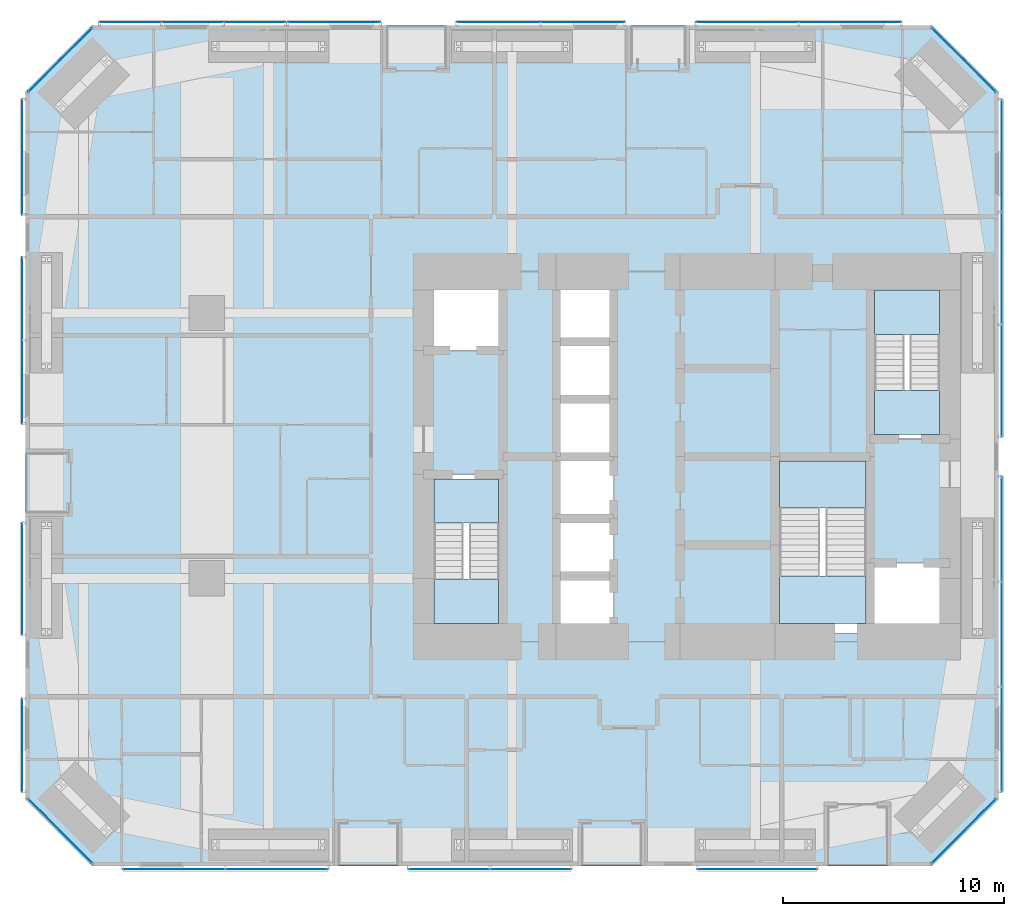
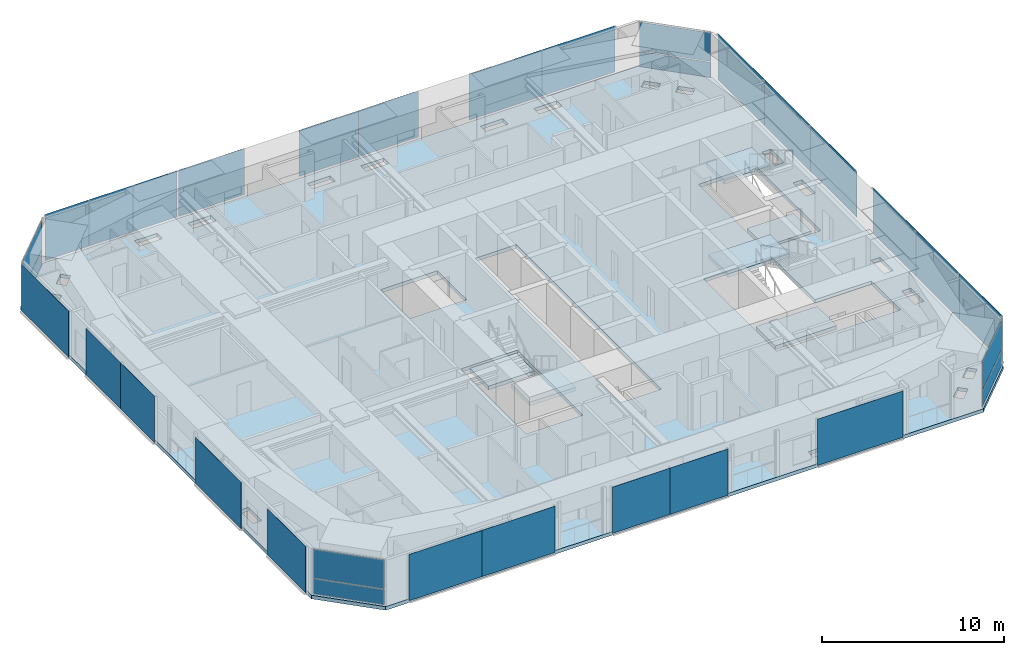
# One storey, part 15 of 23: 32 plates, 7 slabs, 20 elements without a shape of their own.
"""IFC4 building model written with IfcOpenShell, lengths in metres."""

from ifc_helpers import new_model, si_unit, direction, frame, origin, origin_2d, place, context, subcontext, project, spatial, polyline, rectangle, outline, extrude, material, layer, layer_set, type_object, element, aggregate, save


model = new_model("IFC4")

# Units and contexts
model_context = context("Model", 3, precision=1e-05, world=origin(), true_north=direction((0.0, 1.0)))
body_context = subcontext(model_context, "Body", "Model", "MODEL_VIEW")
ifc_project = project(units=[si_unit("LENGTHUNIT", "METRE"), si_unit("AREAUNIT", "SQUARE_METRE"), si_unit("VOLUMEUNIT", "CUBIC_METRE"), si_unit("PLANEANGLEUNIT", "RADIAN"), si_unit("MASSUNIT", "GRAM", prefix="KILO")], contexts=[model_context])

# Site, building, storey
site_placement = place(None, origin())
site = spatial("IfcSite", under=ifc_project, at=site_placement, CompositionType="ELEMENT")
building_placement = place(site_placement, origin())
building = spatial("IfcBuilding", under=site, at=building_placement, Name="Jalousie Tower", CompositionType="ELEMENT")
storey_placement = place(building_placement, frame((0.0, 0.0, 37.75)))
storey = spatial("IfcBuildingStorey", under=building, at=storey_placement, Name="L09", CompositionType="ELEMENT", Elevation=37.75)

# Curtain wall, plates
ifc_material_1 = material(Name="Aluminium curtain wall", Category="aluminium")
curtain_wall_type_1 = type_object("IfcCurtainWallType", Name="CORNER WINDOW WALL", PredefinedType="USERDEFINED", material=ifc_material_1)
curtain_wall_1_placement = place(storey_placement, origin())
curtain_wall_1 = element("IfcCurtainWall", 1, at=curtain_wall_1_placement, inside=storey, type_object=curtain_wall_type_1, Name="Corner Window Wall L09 2", ObjectType="CORNER WINDOW WALL", PredefinedType="USERDEFINED")
ifc_material_2 = material(Name="Laminated impact-rated spandrel glass", Category="glass")
ifc_layer_1 = layer(ifc_material_2, 0.028076171875)
ifc_layer_set_1 = layer_set([ifc_layer_1], Name="Laminated impact-rated spandrel glass")
plate_type_1 = type_object("IfcPlateType", Name="CORNER WINDOW WALL PANEL", PredefinedType="CURTAIN_PANEL", material=ifc_layer_set_1)
plate_1_placement = place(storey_placement, frame((44.4306640625, 1.5693359375, 0.06005859375), z_axis=(0.0, 0.0, 1.0), x_axis=(0.707106781187, 0.707106781187, 0.0)))
plate_1 = element("IfcPlate", 2, at=plate_1_placement, type_object=plate_type_1, Name="CW-C panel 1.1", PredefinedType="CURTAIN_PANEL", context=body_context, shape_type="SweptSolid", body=[
    extrude(rectangle(XDim=4.071533203125, YDim=0.028076171875, at=origin_2d()), origin(), (0.0, 0.0, 1.0), 1.010009765625),
])
plate_2_placement = place(storey_placement, frame((44.4306640625, 1.5693359375, 1.130126953125), z_axis=(0.0, 0.0, 1.0), x_axis=(0.707106781187, 0.707106781187, 0.0)))
plate_2 = element("IfcPlate", 3, at=plate_2_placement, type_object=plate_type_1, Name="CW-C panel 1.2", PredefinedType="CURTAIN_PANEL", context=body_context, shape_type="SweptSolid", body=[
    extrude(rectangle(XDim=4.071533203125, YDim=0.028076171875, at=origin_2d()), origin(), (0.0, 0.0, 1.0), 1.919921875),
])
aggregate(curtain_wall_1, [plate_1, plate_2])

curtain_wall_2_placement = place(storey_placement, origin())
curtain_wall_2 = element("IfcCurtainWall", 4, at=curtain_wall_2_placement, inside=storey, type_object=curtain_wall_type_1, Name="Corner Window Wall L09 4", ObjectType="CORNER WINDOW WALL", PredefinedType="USERDEFINED")
plate_3_placement = place(storey_placement, frame((44.4306640625, 36.4306640625, 0.06005859375), z_axis=(0.0, 0.0, 1.0), x_axis=(-0.707106781187, 0.707106781187, 0.0)))
plate_3 = element("IfcPlate", 5, at=plate_3_placement, type_object=plate_type_1, Name="CW-C panel 1.1", PredefinedType="CURTAIN_PANEL", context=body_context, shape_type="SweptSolid", body=[
    extrude(rectangle(XDim=4.071533203125, YDim=0.028076171875, at=origin_2d()), origin(), (0.0, 0.0, 1.0), 1.010009765625),
])
plate_4_placement = place(storey_placement, frame((44.4306640625, 36.4306640625, 1.130126953125), z_axis=(0.0, 0.0, 1.0), x_axis=(-0.707106781187, 0.707106781187, 0.0)))
plate_4 = element("IfcPlate", 6, at=plate_4_placement, type_object=plate_type_1, Name="CW-C panel 1.2", PredefinedType="CURTAIN_PANEL", context=body_context, shape_type="SweptSolid", body=[
    extrude(rectangle(XDim=4.071533203125, YDim=0.028076171875, at=origin_2d()), origin(), (0.0, 0.0, 1.0), 1.919921875),
])
aggregate(curtain_wall_2, [plate_3, plate_4])

curtain_wall_3_placement = place(storey_placement, origin())
curtain_wall_3 = element("IfcCurtainWall", 7, at=curtain_wall_3_placement, inside=storey, type_object=curtain_wall_type_1, Name="Corner Window Wall L09 6", ObjectType="CORNER WINDOW WALL", PredefinedType="USERDEFINED")
plate_5_placement = place(storey_placement, frame((3.5693359375, 36.4306640625, 0.06005859375), z_axis=(0.0, 0.0, 1.0), x_axis=(-0.707106781187, -0.707106781187, 0.0)))
plate_5 = element("IfcPlate", 8, at=plate_5_placement, type_object=plate_type_1, Name="CW-C panel 1.1", PredefinedType="CURTAIN_PANEL", context=body_context, shape_type="SweptSolid", body=[
    extrude(rectangle(XDim=4.071533203125, YDim=0.028076171875, at=origin_2d()), origin(), (0.0, 0.0, 1.0), 1.010009765625),
])
plate_6_placement = place(storey_placement, frame((3.5693359375, 36.4306640625, 1.130126953125), z_axis=(0.0, 0.0, 1.0), x_axis=(-0.707106781187, -0.707106781187, 0.0)))
plate_6 = element("IfcPlate", 9, at=plate_6_placement, type_object=plate_type_1, Name="CW-C panel 1.2", PredefinedType="CURTAIN_PANEL", context=body_context, shape_type="SweptSolid", body=[
    extrude(rectangle(XDim=4.071533203125, YDim=0.028076171875, at=origin_2d()), origin(), (0.0, 0.0, 1.0), 1.919921875),
])
aggregate(curtain_wall_3, [plate_5, plate_6])

curtain_wall_4_placement = place(storey_placement, origin())
curtain_wall_4 = element("IfcCurtainWall", 10, at=curtain_wall_4_placement, inside=storey, type_object=curtain_wall_type_1, Name="Corner Window Wall L09 8", ObjectType="CORNER WINDOW WALL", PredefinedType="USERDEFINED")
plate_7_placement = place(storey_placement, frame((3.5693359375, 1.5693359375, 0.06005859375), z_axis=(0.0, 0.0, 1.0), x_axis=(0.707106781187, -0.707106781187, 0.0)))
plate_7 = element("IfcPlate", 11, at=plate_7_placement, type_object=plate_type_1, Name="CW-C panel 1.1", PredefinedType="CURTAIN_PANEL", context=body_context, shape_type="SweptSolid", body=[
    extrude(rectangle(XDim=4.071533203125, YDim=0.028076171875, at=origin_2d()), origin(), (0.0, 0.0, 1.0), 1.010009765625),
])
plate_8_placement = place(storey_placement, frame((3.5693359375, 1.5693359375, 1.130126953125), z_axis=(0.0, 0.0, 1.0), x_axis=(0.707106781187, -0.707106781187, 0.0)))
plate_8 = element("IfcPlate", 12, at=plate_8_placement, type_object=plate_type_1, Name="CW-C panel 1.2", PredefinedType="CURTAIN_PANEL", context=body_context, shape_type="SweptSolid", body=[
    extrude(rectangle(XDim=4.071533203125, YDim=0.028076171875, at=origin_2d()), origin(), (0.0, 0.0, 1.0), 1.919921875),
])
aggregate(curtain_wall_4, [plate_7, plate_8])

# Slab
ifc_material_3 = material(Name="Concrete f'c 40 MPa", Category="concrete")
ifc_layer_2 = layer(ifc_material_3, 0.239990234375)
ifc_layer_set_2 = layer_set([ifc_layer_2], Name="Concrete f'c 40 MPa")
slab_type_1 = type_object("IfcSlabType", Name="FLOOR SLAB 240", PredefinedType="FLOOR", material=ifc_layer_set_2)
slab_1_placement = place(storey_placement, frame((0.0, 0.0, -0.239990234375)))
element("IfcSlab", 13, at=slab_1_placement, inside=storey, type_object=slab_type_1, Name="L09 floor slab", PredefinedType="FLOOR", context=body_context, shape_type="SweptSolid", body=[
    extrude(outline(polyline([(5.0, 0.0), (43.0, 0.0), (46.0, 3.0), (46.0, 35.0), (43.0, 38.0), (5.0, 38.0), (2.0, 35.0), (2.0, 3.0), (5.0, 0.0)]), holes=[polyline([(24.974609375, 0.663818359375), (24.974609375, 1.236083984375), (26.3642578125, 1.236083984375), (26.425048828125, 1.236083984375), (26.425048828125, 0.663818359375), (26.3642578125, 0.663818359375), (24.974609375, 0.663818359375)]), polyline([(23.025390625, 1.236083984375), (23.025390625, 0.663818359375), (21.6357421875, 0.663818359375), (21.574951171875, 0.663818359375), (21.574951171875, 1.236083984375), (21.6357421875, 1.236083984375), (23.025390625, 1.236083984375)]), polyline([(10.574951171875, 1.236083984375), (10.6357421875, 1.236083984375), (12.025390625, 1.236083984375), (12.025390625, 0.663818359375), (10.6357421875, 0.663818359375), (10.574951171875, 0.663818359375), (10.574951171875, 1.236083984375)]), polyline([(13.974609375, 1.236083984375), (15.3642578125, 1.236083984375), (15.425048828125, 1.236083984375), (15.425048828125, 0.663818359375), (15.3642578125, 0.663818359375), (13.974609375, 0.663818359375), (13.974609375, 1.236083984375)]), polyline([(5.373291015625, 1.484619140625), (4.78564453125, 2.072509765625), (5.1904296875, 2.47705078125), (5.778076171875, 1.889404296875), (5.859130859375, 1.808349609375), (5.859130859375, 1.808349609375), (5.859130859375, 1.808349609375), (5.65673828125, 1.606201171875), (5.454345703125, 1.40380859375), (5.373291015625, 1.484619140625), (5.373291015625, 1.484619140625)]), polyline([(4.072509765625, 2.78564453125), (3.40380859375, 3.454345703125), (3.808349609375, 3.859130859375), (3.889404296875, 3.778076171875), (4.47705078125, 3.1904296875), (4.072509765625, 2.78564453125)]), polyline([(3.236083984375, 10.574951171875), (2.663818359375, 10.574951171875), (2.663818359375, 10.6357421875), (2.663818359375, 12.025390625), (3.236083984375, 12.025390625), (3.236083984375, 10.6357421875), (3.236083984375, 10.574951171875)]), polyline([(26.0, 10.5), (26.0, 26.5), (28.60009765625, 26.5), (28.60009765625, 10.5), (26.0, 10.5)]), polyline([(20.0, 10.5), (23.60009765625, 10.5), (23.60009765625, 17.699951171875), (20.0, 17.699951171875), (20.0, 10.5)]), polyline([(3.236083984375, 15.3642578125), (3.236083984375, 13.974609375), (2.663818359375, 13.974609375), (2.663818359375, 15.3642578125), (2.663818359375, 15.425048828125), (3.236083984375, 15.425048828125), (3.236083984375, 15.3642578125)]), polyline([(2.663818359375, 24.025390625), (3.236083984375, 24.025390625), (3.236083984375, 22.6357421875), (3.236083984375, 22.574951171875), (2.663818359375, 22.574951171875), (2.663818359375, 22.6357421875), (2.663818359375, 24.025390625)]), polyline([(20.0, 23.300048828125), (23.60009765625, 23.300048828125), (23.60009765625, 26.5), (20.0, 26.5), (20.0, 23.300048828125)]), polyline([(3.236083984375, 25.974609375), (2.663818359375, 25.974609375), (2.663818359375, 27.3642578125), (2.663818359375, 27.425048828125), (3.236083984375, 27.425048828125), (3.236083984375, 27.3642578125), (3.236083984375, 25.974609375)]), polyline([(3.808349609375, 34.140869140625), (3.606201171875, 34.34326171875), (3.40380859375, 34.545654296875), (3.484619140625, 34.626708984375), (3.484619140625, 34.626708984375), (4.072509765625, 35.21435546875), (4.47705078125, 34.8095703125), (3.889404296875, 34.221923828125), (3.808349609375, 34.140869140625), (3.808349609375, 34.140869140625), (3.808349609375, 34.140869140625)]), polyline([(5.859130859375, 36.191650390625), (5.1904296875, 35.52294921875), (4.78564453125, 35.927490234375), (5.454345703125, 36.59619140625), (5.454345703125, 36.59619140625), (5.454345703125, 36.59619140625), (5.65673828125, 36.393798828125), (5.859130859375, 36.191650390625)]), polyline([(15.425048828125, 37.336181640625), (15.425048828125, 36.763916015625), (15.3642578125, 36.763916015625), (13.974609375, 36.763916015625), (13.974609375, 37.336181640625), (15.3642578125, 37.336181640625), (15.425048828125, 37.336181640625)]), polyline([(23.025390625, 36.763916015625), (21.6357421875, 36.763916015625), (21.574951171875, 36.763916015625), (21.574951171875, 37.336181640625), (21.6357421875, 37.336181640625), (23.025390625, 37.336181640625), (23.025390625, 36.763916015625)]), polyline([(10.574951171875, 36.763916015625), (10.574951171875, 37.336181640625), (10.6357421875, 37.336181640625), (12.025390625, 37.336181640625), (12.025390625, 36.763916015625), (10.6357421875, 36.763916015625), (10.574951171875, 36.763916015625)]), polyline([(24.974609375, 37.336181640625), (26.3642578125, 37.336181640625), (26.425048828125, 37.336181640625), (26.425048828125, 36.763916015625), (26.3642578125, 36.763916015625), (24.974609375, 36.763916015625), (24.974609375, 37.336181640625)]), polyline([(32.6357421875, 0.663818359375), (32.574951171875, 0.663818359375), (32.574951171875, 1.236083984375), (32.6357421875, 1.236083984375), (34.025390625, 1.236083984375), (34.025390625, 0.663818359375), (32.6357421875, 0.663818359375)]), polyline([(37.3642578125, 1.236083984375), (37.425048828125, 1.236083984375), (37.425048828125, 0.663818359375), (37.3642578125, 0.663818359375), (35.974609375, 0.663818359375), (35.974609375, 1.236083984375), (37.3642578125, 1.236083984375)]), polyline([(42.626708984375, 1.484619140625), (42.545654296875, 1.40380859375), (42.34326171875, 1.606201171875), (42.140869140625, 1.808349609375), (42.140869140625, 1.808349609375), (42.140869140625, 1.808349609375), (42.221923828125, 1.889404296875), (42.8095703125, 2.47705078125), (43.21435546875, 2.072509765625), (42.626708984375, 1.484619140625), (42.626708984375, 1.484619140625)]), polyline([(44.191650390625, 3.859130859375), (44.393798828125, 3.65673828125), (44.59619140625, 3.454345703125), (44.59619140625, 3.454345703125), (44.59619140625, 3.454345703125), (43.927490234375, 2.78564453125), (43.52294921875, 3.1904296875), (44.191650390625, 3.859130859375)]), polyline([(45.336181640625, 10.574951171875), (44.763916015625, 10.574951171875), (44.763916015625, 10.6357421875), (44.763916015625, 12.025390625), (45.336181640625, 12.025390625), (45.336181640625, 10.6357421875), (45.336181640625, 10.574951171875)]), polyline([(35.89990234375, 10.5), (35.89990234375, 18.5), (40.199951171875, 18.5), (40.199951171875, 13.699951171875), (43.800048828125, 13.699951171875), (43.800048828125, 10.5), (35.89990234375, 10.5)]), polyline([(45.336181640625, 13.974609375), (44.763916015625, 13.974609375), (44.763916015625, 15.3642578125), (44.763916015625, 15.425048828125), (45.336181640625, 15.425048828125), (45.336181640625, 15.3642578125), (45.336181640625, 13.974609375)]), polyline([(40.199951171875, 19.300048828125), (43.800048828125, 19.300048828125), (43.800048828125, 26.5), (40.199951171875, 26.5), (40.199951171875, 19.300048828125)]), polyline([(45.336181640625, 22.574951171875), (44.763916015625, 22.574951171875), (44.763916015625, 22.6357421875), (44.763916015625, 24.025390625), (45.336181640625, 24.025390625), (45.336181640625, 22.6357421875), (45.336181640625, 22.574951171875)]), polyline([(45.336181640625, 27.3642578125), (45.336181640625, 25.974609375), (44.763916015625, 25.974609375), (44.763916015625, 27.3642578125), (44.763916015625, 27.425048828125), (45.336181640625, 27.425048828125), (45.336181640625, 27.3642578125)]), polyline([(43.927490234375, 35.21435546875), (44.59619140625, 34.545654296875), (44.59619140625, 34.545654296875), (44.393798828125, 34.34326171875), (44.191650390625, 34.140869140625), (43.52294921875, 34.8095703125), (43.927490234375, 35.21435546875)]), polyline([(43.21435546875, 35.927490234375), (42.8095703125, 35.52294921875), (42.140869140625, 36.191650390625), (42.34326171875, 36.393798828125), (42.545654296875, 36.59619140625), (42.545654296875, 36.59619140625), (43.21435546875, 35.927490234375)]), polyline([(37.3642578125, 37.336181640625), (37.425048828125, 37.336181640625), (37.425048828125, 36.763916015625), (37.3642578125, 36.763916015625), (35.974609375, 36.763916015625), (35.974609375, 37.336181640625), (37.3642578125, 37.336181640625)]), polyline([(34.025390625, 37.336181640625), (34.025390625, 36.763916015625), (32.6357421875, 36.763916015625), (32.574951171875, 36.763916015625), (32.574951171875, 37.336181640625), (32.6357421875, 37.336181640625), (34.025390625, 37.336181640625)])]), origin(), (0.0, 0.0, 1.0), 0.239990234375),
])

# Curtain wall, plates
ifc_material_4 = material(Name="Perforated aluminium sheet", Category="aluminium")
curtain_wall_type_2 = type_object("IfcCurtainWallType", Name="SOLAR SCREEN SS-1", PredefinedType="USERDEFINED", material=ifc_material_4)
curtain_wall_5_placement = place(storey_placement, origin())
curtain_wall_5 = element("IfcCurtainWall", 14, at=curtain_wall_5_placement, inside=storey, type_object=curtain_wall_type_2, Name="Solar screen L09", ObjectType="SOLAR SCREEN SS-1", PredefinedType="USERDEFINED")
ifc_material_5 = material(Name="Perforated aluminium sheet", Category="aluminium")
ifc_layer_3 = layer(ifc_material_5, 0.006103515625)
ifc_layer_set_3 = layer_set([ifc_layer_3], Name="Perforated aluminium sheet")
plate_type_2 = type_object("IfcPlateType", Name="SOLAR SCREEN SS-1 PANEL", PredefinedType="CURTAIN_PANEL", material=ifc_layer_set_3)
plate_9_placement = place(storey_placement, frame((8.71875, -0.150390625, 0.0), z_axis=(0.0, 0.0, 1.0), x_axis=(1.0, 0.0, 0.0)))
plate_9 = element("IfcPlate", 15, at=plate_9_placement, type_object=plate_type_2, Name="SS1 perforated panel 1", PredefinedType="CURTAIN_PANEL", context=body_context, shape_type="SweptSolid", body=[
    extrude(rectangle(XDim=4.637451171875, YDim=0.006103515625, at=origin_2d()), origin(), (0.0, 0.0, 1.0), 3.110107421875),
])
plate_10_placement = place(storey_placement, frame((13.356201171875, -0.150390625, 0.0), z_axis=(0.0, 0.0, 1.0), x_axis=(1.0, 0.0, 0.0)))
plate_10 = element("IfcPlate", 16, at=plate_10_placement, type_object=plate_type_2, Name="SS1 perforated panel 2", PredefinedType="CURTAIN_PANEL", context=body_context, shape_type="SweptSolid", body=[
    extrude(rectangle(XDim=4.637451171875, YDim=0.006103515625, at=origin_2d()), origin(), (0.0, 0.0, 1.0), 3.110107421875),
])
aggregate(curtain_wall_5, [plate_9, plate_10])

curtain_wall_6_placement = place(storey_placement, origin())
curtain_wall_6 = element("IfcCurtainWall", 17, at=curtain_wall_6_placement, inside=storey, type_object=curtain_wall_type_2, Name="Solar screen L09", ObjectType="SOLAR SCREEN SS-1", PredefinedType="USERDEFINED")
plate_11_placement = place(storey_placement, frame((21.16259765625, -0.150390625, 0.0), z_axis=(0.0, 0.0, 1.0), x_axis=(1.0, 0.0, 0.0)))
plate_11 = element("IfcPlate", 18, at=plate_11_placement, type_object=plate_type_2, Name="SS1 perforated panel 1", PredefinedType="CURTAIN_PANEL", context=body_context, shape_type="SweptSolid", body=[
    extrude(rectangle(XDim=3.675048828125, YDim=0.006103515625, at=origin_2d()), origin(), (0.0, 0.0, 1.0), 3.110107421875),
])
plate_12_placement = place(storey_placement, frame((24.83740234375, -0.150390625, 0.0), z_axis=(0.0, 0.0, 1.0), x_axis=(1.0, 0.0, 0.0)))
plate_12 = element("IfcPlate", 19, at=plate_12_placement, type_object=plate_type_2, Name="SS1 perforated panel 2", PredefinedType="CURTAIN_PANEL", context=body_context, shape_type="SweptSolid", body=[
    extrude(rectangle(XDim=3.675048828125, YDim=0.006103515625, at=origin_2d()), origin(), (0.0, 0.0, 1.0), 3.110107421875),
])
aggregate(curtain_wall_6, [plate_11, plate_12])

# Curtain wall, plate
curtain_wall_7_placement = place(storey_placement, origin())
curtain_wall_7 = element("IfcCurtainWall", 20, at=curtain_wall_7_placement, inside=storey, type_object=curtain_wall_type_2, Name="Solar screen L09", ObjectType="SOLAR SCREEN SS-1", PredefinedType="USERDEFINED")
plate_13_placement = place(storey_placement, frame((35.09130859375, -0.150390625, 0.0), z_axis=(0.0, 0.0, 1.0), x_axis=(1.0, 0.0, 0.0)))
plate_13 = element("IfcPlate", 21, at=plate_13_placement, type_object=plate_type_2, Name="SS1 perforated panel 1", PredefinedType="CURTAIN_PANEL", context=body_context, shape_type="SweptSolid", body=[
    extrude(rectangle(XDim=5.41748046875, YDim=0.006103515625, at=origin_2d()), origin(), (0.0, 0.0, 1.0), 3.110107421875),
])
aggregate(curtain_wall_7, [plate_13])

# Curtain wall, plates
curtain_wall_8_placement = place(storey_placement, origin())
curtain_wall_8 = element("IfcCurtainWall", 22, at=curtain_wall_8_placement, inside=storey, type_object=curtain_wall_type_2, Name="Solar screen L09", ObjectType="SOLAR SCREEN SS-1", PredefinedType="USERDEFINED")
plate_14_placement = place(storey_placement, frame((46.150390625, 5.72607421875, 0.0), z_axis=(0.0, 0.0, 1.0), x_axis=(0.0, 1.0, 0.0)))
plate_14 = element("IfcPlate", 23, at=plate_14_placement, type_object=plate_type_2, Name="SS1 perforated panel 1", PredefinedType="CURTAIN_PANEL", context=body_context, shape_type="SweptSolid", body=[
    extrude(rectangle(XDim=4.74951171875, YDim=0.006103515625, at=origin_2d()), origin(), (0.0, 0.0, 1.0), 3.110107421875),
])
plate_15_placement = place(storey_placement, frame((46.150390625, 10.4755859375, 0.0), z_axis=(0.0, 0.0, 1.0), x_axis=(0.0, 1.0, 0.0)))
plate_15 = element("IfcPlate", 24, at=plate_15_placement, type_object=plate_type_2, Name="SS1 perforated panel 2", PredefinedType="CURTAIN_PANEL", context=body_context, shape_type="SweptSolid", body=[
    extrude(rectangle(XDim=4.74951171875, YDim=0.006103515625, at=origin_2d()), origin(), (0.0, 0.0, 1.0), 3.110107421875),
])
plate_16_placement = place(storey_placement, frame((46.150390625, 15.22509765625, 0.0), z_axis=(0.0, 0.0, 1.0), x_axis=(0.0, 1.0, 0.0)))
plate_16 = element("IfcPlate", 25, at=plate_16_placement, type_object=plate_type_2, Name="SS1 perforated panel 3", PredefinedType="CURTAIN_PANEL", context=body_context, shape_type="SweptSolid", body=[
    extrude(rectangle(XDim=4.74951171875, YDim=0.006103515625, at=origin_2d()), origin(), (0.0, 0.0, 1.0), 3.110107421875),
])
aggregate(curtain_wall_8, [plate_14, plate_15, plate_16])

curtain_wall_9_placement = place(storey_placement, origin())
curtain_wall_9 = element("IfcCurtainWall", 26, at=curtain_wall_9_placement, inside=storey, type_object=curtain_wall_type_2, Name="Solar screen L09", ObjectType="SOLAR SCREEN SS-1", PredefinedType="USERDEFINED")
plate_17_placement = place(storey_placement, frame((46.150390625, 21.94140625, 0.0), z_axis=(0.0, 0.0, 1.0), x_axis=(0.0, 1.0, 0.0)))
plate_17 = element("IfcPlate", 27, at=plate_17_placement, type_object=plate_type_2, Name="SS1 perforated panel 1", PredefinedType="CURTAIN_PANEL", context=body_context, shape_type="SweptSolid", body=[
    extrude(rectangle(XDim=5.0830078125, YDim=0.006103515625, at=origin_2d()), origin(), (0.0, 0.0, 1.0), 3.110107421875),
])
plate_18_placement = place(storey_placement, frame((46.150390625, 27.0244140625, 0.0), z_axis=(0.0, 0.0, 1.0), x_axis=(0.0, 1.0, 0.0)))
plate_18 = element("IfcPlate", 28, at=plate_18_placement, type_object=plate_type_2, Name="SS1 perforated panel 2", PredefinedType="CURTAIN_PANEL", context=body_context, shape_type="SweptSolid", body=[
    extrude(rectangle(XDim=5.0830078125, YDim=0.006103515625, at=origin_2d()), origin(), (0.0, 0.0, 1.0), 3.110107421875),
])
plate_19_placement = place(storey_placement, frame((46.150390625, 32.107177734375, 0.0), z_axis=(0.0, 0.0, 1.0), x_axis=(0.0, 1.0, 0.0)))
plate_19 = element("IfcPlate", 29, at=plate_19_placement, type_object=plate_type_2, Name="SS1 perforated panel 3", PredefinedType="CURTAIN_PANEL", context=body_context, shape_type="SweptSolid", body=[
    extrude(rectangle(XDim=5.0830078125, YDim=0.006103515625, at=origin_2d()), origin(), (0.0, 0.0, 1.0), 3.110107421875),
])
aggregate(curtain_wall_9, [plate_17, plate_18, plate_19])

curtain_wall_10_placement = place(storey_placement, origin())
curtain_wall_10 = element("IfcCurtainWall", 30, at=curtain_wall_10_placement, inside=storey, type_object=curtain_wall_type_2, Name="Solar screen L09", ObjectType="SOLAR SCREEN SS-1", PredefinedType="USERDEFINED")
plate_20_placement = place(storey_placement, frame((39.28125, 38.150390625, 0.0), z_axis=(0.0, 0.0, 1.0), x_axis=(-1.0, 0.0, 0.0)))
plate_20 = element("IfcPlate", 31, at=plate_20_placement, type_object=plate_type_2, Name="SS1 perforated panel 1", PredefinedType="CURTAIN_PANEL", context=body_context, shape_type="SweptSolid", body=[
    extrude(rectangle(XDim=4.637451171875, YDim=0.006103515625, at=origin_2d()), origin(), (0.0, 0.0, 1.0), 3.110107421875),
])
plate_21_placement = place(storey_placement, frame((34.643798828125, 38.150390625, 0.0), z_axis=(0.0, 0.0, 1.0), x_axis=(-1.0, 0.0, 0.0)))
plate_21 = element("IfcPlate", 32, at=plate_21_placement, type_object=plate_type_2, Name="SS1 perforated panel 2", PredefinedType="CURTAIN_PANEL", context=body_context, shape_type="SweptSolid", body=[
    extrude(rectangle(XDim=4.637451171875, YDim=0.006103515625, at=origin_2d()), origin(), (0.0, 0.0, 1.0), 3.110107421875),
])
aggregate(curtain_wall_10, [plate_20, plate_21])

curtain_wall_11_placement = place(storey_placement, origin())
curtain_wall_11 = element("IfcCurtainWall", 33, at=curtain_wall_11_placement, inside=storey, type_object=curtain_wall_type_2, Name="Solar screen L09", ObjectType="SOLAR SCREEN SS-1", PredefinedType="USERDEFINED")
plate_22_placement = place(storey_placement, frame((27.199951171875, 38.150390625, 0.0), z_axis=(0.0, 0.0, 1.0), x_axis=(-1.0, 0.0, 0.0)))
plate_22 = element("IfcPlate", 34, at=plate_22_placement, type_object=plate_type_2, Name="SS1 perforated panel 1", PredefinedType="CURTAIN_PANEL", context=body_context, shape_type="SweptSolid", body=[
    extrude(rectangle(XDim=3.800048828125, YDim=0.006103515625, at=origin_2d()), origin(), (0.0, 0.0, 1.0), 3.110107421875),
])
plate_23_placement = place(storey_placement, frame((23.39990234375, 38.150390625, 0.0), z_axis=(0.0, 0.0, 1.0), x_axis=(-1.0, 0.0, 0.0)))
plate_23 = element("IfcPlate", 35, at=plate_23_placement, type_object=plate_type_2, Name="SS1 perforated panel 2", PredefinedType="CURTAIN_PANEL", context=body_context, shape_type="SweptSolid", body=[
    extrude(rectangle(XDim=3.800048828125, YDim=0.006103515625, at=origin_2d()), origin(), (0.0, 0.0, 1.0), 3.110107421875),
])
aggregate(curtain_wall_11, [plate_22, plate_23])

# Curtain wall, plate
curtain_wall_12_placement = place(storey_placement, origin())
curtain_wall_12 = element("IfcCurtainWall", 36, at=curtain_wall_12_placement, inside=storey, type_object=curtain_wall_type_2, Name="Solar screen L09", ObjectType="SOLAR SCREEN SS-1", PredefinedType="USERDEFINED")
plate_24_placement = place(storey_placement, frame((15.949951171875, 38.150390625, 0.0), z_axis=(0.0, 0.0, 1.0), x_axis=(-1.0, 0.0, 0.0)))
plate_24 = element("IfcPlate", 37, at=plate_24_placement, type_object=plate_type_2, Name="SS1 perforated panel 1", PredefinedType="CURTAIN_PANEL", context=body_context, shape_type="SweptSolid", body=[
    extrude(rectangle(XDim=4.199951171875, YDim=0.006103515625, at=origin_2d()), origin(), (0.0, 0.0, 1.0), 3.110107421875),
])
aggregate(curtain_wall_12, [plate_24])

# Curtain wall, plates
curtain_wall_13_placement = place(storey_placement, origin())
curtain_wall_13 = element("IfcCurtainWall", 38, at=curtain_wall_13_placement, inside=storey, type_object=curtain_wall_type_2, Name="Solar screen L09", ObjectType="SOLAR SCREEN SS-1", PredefinedType="USERDEFINED")
plate_25_placement = place(storey_placement, frame((12.35009765625, 38.150390625, 0.0), z_axis=(0.0, 0.0, 1.0), x_axis=(-1.0, 0.0, 0.0)))
plate_25 = element("IfcPlate", 39, at=plate_25_placement, type_object=plate_type_2, Name="SS1 perforated panel 1", PredefinedType="CURTAIN_PANEL", context=body_context, shape_type="SweptSolid", body=[
    extrude(rectangle(XDim=2.799560546875, YDim=0.006103515625, at=origin_2d()), origin(), (0.0, 0.0, 1.0), 3.110107421875),
])
plate_26_placement = place(storey_placement, frame((9.55078125, 38.150390625, 0.0), z_axis=(0.0, 0.0, 1.0), x_axis=(-1.0, 0.0, 0.0)))
plate_26 = element("IfcPlate", 40, at=plate_26_placement, type_object=plate_type_2, Name="SS1 perforated panel 2", PredefinedType="CURTAIN_PANEL", context=body_context, shape_type="SweptSolid", body=[
    extrude(rectangle(XDim=2.799560546875, YDim=0.006103515625, at=origin_2d()), origin(), (0.0, 0.0, 1.0), 3.110107421875),
])
plate_27_placement = place(storey_placement, frame((6.751220703125, 38.150390625, 0.0), z_axis=(0.0, 0.0, 1.0), x_axis=(-1.0, 0.0, 0.0)))
plate_27 = element("IfcPlate", 41, at=plate_27_placement, type_object=plate_type_2, Name="SS1 perforated panel 3", PredefinedType="CURTAIN_PANEL", context=body_context, shape_type="SweptSolid", body=[
    extrude(rectangle(XDim=2.799560546875, YDim=0.006103515625, at=origin_2d()), origin(), (0.0, 0.0, 1.0), 3.110107421875),
])
aggregate(curtain_wall_13, [plate_25, plate_26, plate_27])

# Curtain wall, plate
curtain_wall_14_placement = place(storey_placement, origin())
curtain_wall_14 = element("IfcCurtainWall", 42, at=curtain_wall_14_placement, inside=storey, type_object=curtain_wall_type_2, Name="Solar screen L09", ObjectType="SOLAR SCREEN SS-1", PredefinedType="USERDEFINED")
plate_28_placement = place(storey_placement, frame((1.849609375, 32.04931640625, 0.0), z_axis=(0.0, 0.0, 1.0), x_axis=(0.0, -1.0, 0.0)))
plate_28 = element("IfcPlate", 43, at=plate_28_placement, type_object=plate_type_2, Name="SS1 perforated panel 1", PredefinedType="CURTAIN_PANEL", context=body_context, shape_type="SweptSolid", body=[
    extrude(rectangle(XDim=5.19873046875, YDim=0.006103515625, at=origin_2d()), origin(), (0.0, 0.0, 1.0), 3.110107421875),
])
aggregate(curtain_wall_14, [plate_28])

# Curtain wall, plates
curtain_wall_15_placement = place(storey_placement, origin())
curtain_wall_15 = element("IfcCurtainWall", 44, at=curtain_wall_15_placement, inside=storey, type_object=curtain_wall_type_2, Name="Solar screen L09", ObjectType="SOLAR SCREEN SS-1", PredefinedType="USERDEFINED")
plate_29_placement = place(storey_placement, frame((1.849609375, 25.643798828125, 0.0), z_axis=(0.0, 0.0, 1.0), x_axis=(0.0, -1.0, 0.0)))
plate_29 = element("IfcPlate", 45, at=plate_29_placement, type_object=plate_type_2, Name="SS1 perforated panel 1", PredefinedType="CURTAIN_PANEL", context=body_context, shape_type="SweptSolid", body=[
    extrude(rectangle(XDim=3.762451171875, YDim=0.006103515625, at=origin_2d()), origin(), (0.0, 0.0, 1.0), 3.110107421875),
])
plate_30_placement = place(storey_placement, frame((1.849609375, 21.88134765625, 0.0), z_axis=(0.0, 0.0, 1.0), x_axis=(0.0, -1.0, 0.0)))
plate_30 = element("IfcPlate", 46, at=plate_30_placement, type_object=plate_type_2, Name="SS1 perforated panel 2", PredefinedType="CURTAIN_PANEL", context=body_context, shape_type="SweptSolid", body=[
    extrude(rectangle(XDim=3.762451171875, YDim=0.006103515625, at=origin_2d()), origin(), (0.0, 0.0, 1.0), 3.110107421875),
])
aggregate(curtain_wall_15, [plate_29, plate_30])

# Curtain wall, plate
curtain_wall_16_placement = place(storey_placement, origin())
curtain_wall_16 = element("IfcCurtainWall", 47, at=curtain_wall_16_placement, inside=storey, type_object=curtain_wall_type_2, Name="Solar screen L09", ObjectType="SOLAR SCREEN SS-1", PredefinedType="USERDEFINED")
plate_31_placement = place(storey_placement, frame((1.849609375, 12.97509765625, 0.0), z_axis=(0.0, 0.0, 1.0), x_axis=(0.0, -1.0, 0.0)))
plate_31 = element("IfcPlate", 48, at=plate_31_placement, type_object=plate_type_2, Name="SS1 perforated panel 1", PredefinedType="CURTAIN_PANEL", context=body_context, shape_type="SweptSolid", body=[
    extrude(rectangle(XDim=5.050048828125, YDim=0.006103515625, at=origin_2d()), origin(), (0.0, 0.0, 1.0), 3.110107421875),
])
aggregate(curtain_wall_16, [plate_31])

curtain_wall_17_placement = place(storey_placement, origin())
curtain_wall_17 = element("IfcCurtainWall", 49, at=curtain_wall_17_placement, inside=storey, type_object=curtain_wall_type_2, Name="Solar screen L09", ObjectType="SOLAR SCREEN SS-1", PredefinedType="USERDEFINED")
plate_32_placement = place(storey_placement, frame((1.849609375, 5.45068359375, 0.0), z_axis=(0.0, 0.0, 1.0), x_axis=(0.0, -1.0, 0.0)))
plate_32 = element("IfcPlate", 50, at=plate_32_placement, type_object=plate_type_2, Name="SS1 perforated panel 1", PredefinedType="CURTAIN_PANEL", context=body_context, shape_type="SweptSolid", body=[
    extrude(rectangle(XDim=4.19873046875, YDim=0.006103515625, at=origin_2d()), origin(), (0.0, 0.0, 1.0), 3.110107421875),
])
aggregate(curtain_wall_17, [plate_32])

# Stair, slabs
ifc_material_6 = material(Name="Concrete f'c 40 MPa", Category="concrete")
stair_type = type_object("IfcStairType", Name="EXIT STAIR", PredefinedType="HALF_TURN_STAIR", material=ifc_material_6)
stair_1_placement = place(storey_placement, origin())
stair_1 = element("IfcStair", 51, at=stair_1_placement, inside=storey, type_object=stair_type, Name="Exit stair A L09", PredefinedType="HALF_TURN_STAIR")
ifc_material_7 = material(Name="Concrete f'c 40 MPa", Category="concrete")
ifc_layer_4 = layer(ifc_material_7, 0.25)
ifc_layer_set_4 = layer_set([ifc_layer_4], Name="Concrete f'c 40 MPa")
slab_type_2 = type_object("IfcSlabType", Name="STAIR LANDING 250", PredefinedType="LANDING", material=ifc_layer_set_4)
slab_2_placement = place(storey_placement, frame((0.0, 0.0, -0.25)))
slab_2 = element("IfcSlab", 52, at=slab_2_placement, type_object=slab_type_2, Name="ST-A landing 1", PredefinedType="LANDING", context=body_context, shape_type="SweptSolid", body=[
    extrude(outline(polyline([(20.47509765625, 15.49755859375), (23.39990234375, 15.49755859375), (23.39990234375, 17.5), (20.47509765625, 17.5), (20.47509765625, 15.49755859375)])), origin(), (0.0, 0.0, 1.0), 0.25),
])
slab_3_placement = place(storey_placement, frame((0.0, 0.0, 1.425048828125)))
slab_3 = element("IfcSlab", 53, at=slab_3_placement, type_object=slab_type_2, Name="ST-A landing 2", PredefinedType="LANDING", context=body_context, shape_type="SweptSolid", body=[
    extrude(outline(polyline([(20.47509765625, 10.949951171875), (23.39990234375, 10.949951171875), (23.39990234375, 12.9775390625), (20.47509765625, 12.9775390625), (20.47509765625, 10.949951171875)])), origin(), (0.0, 0.0, 1.0), 0.25),
])
aggregate(stair_1, [slab_2, slab_3])

stair_2_placement = place(storey_placement, origin())
stair_2 = element("IfcStair", 54, at=stair_2_placement, inside=storey, type_object=stair_type, Name="Exit stair B L09", PredefinedType="HALF_TURN_STAIR")
slab_4_placement = place(storey_placement, frame((0.0, 0.0, -0.25)))
slab_4 = element("IfcSlab", 55, at=slab_4_placement, type_object=slab_type_2, Name="ST-B landing 1", PredefinedType="LANDING", context=body_context, shape_type="SweptSolid", body=[
    extrude(outline(polyline([(40.39990234375, 19.5), (43.324951171875, 19.5), (43.324951171875, 21.50244140625), (40.39990234375, 21.50244140625), (40.39990234375, 19.5)])), origin(), (0.0, 0.0, 1.0), 0.25),
])
slab_5_placement = place(storey_placement, frame((0.0, 0.0, 1.425048828125)))
slab_5 = element("IfcSlab", 56, at=slab_5_placement, type_object=slab_type_2, Name="ST-B landing 2", PredefinedType="LANDING", context=body_context, shape_type="SweptSolid", body=[
    extrude(outline(polyline([(40.39990234375, 24.0224609375), (43.324951171875, 24.0224609375), (43.324951171875, 26.050048828125), (40.39990234375, 26.050048828125), (40.39990234375, 24.0224609375)])), origin(), (0.0, 0.0, 1.0), 0.25),
])
aggregate(stair_2, [slab_4, slab_5])

stair_3_placement = place(storey_placement, origin())
stair_3 = element("IfcStair", 57, at=stair_3_placement, inside=storey, type_object=stair_type, Name="Exit stair C L09", PredefinedType="HALF_TURN_STAIR")
slab_6_placement = place(storey_placement, frame((0.0, 0.0, -0.25)))
slab_6 = element("IfcSlab", 58, at=slab_6_placement, type_object=slab_type_2, Name="ST-C landing 1", PredefinedType="LANDING", context=body_context, shape_type="SweptSolid", body=[
    extrude(outline(polyline([(36.10009765625, 10.949951171875), (40.0, 10.949951171875), (40.0, 13.097412109375), (36.10009765625, 13.097412109375), (36.10009765625, 10.949951171875)])), origin(), (0.0, 0.0, 1.0), 0.25),
])
slab_7_placement = place(storey_placement, frame((0.0, 0.0, 1.425048828125)))
slab_7 = element("IfcSlab", 59, at=slab_7_placement, type_object=slab_type_2, Name="ST-C landing 2", PredefinedType="LANDING", context=body_context, shape_type="SweptSolid", body=[
    extrude(outline(polyline([(36.10009765625, 16.177490234375), (40.0, 16.177490234375), (40.0, 18.300048828125), (36.10009765625, 18.300048828125), (36.10009765625, 16.177490234375)])), origin(), (0.0, 0.0, 1.0), 0.25),
])
aggregate(stair_3, [slab_6, slab_7])

save(model, "model.ifc")
